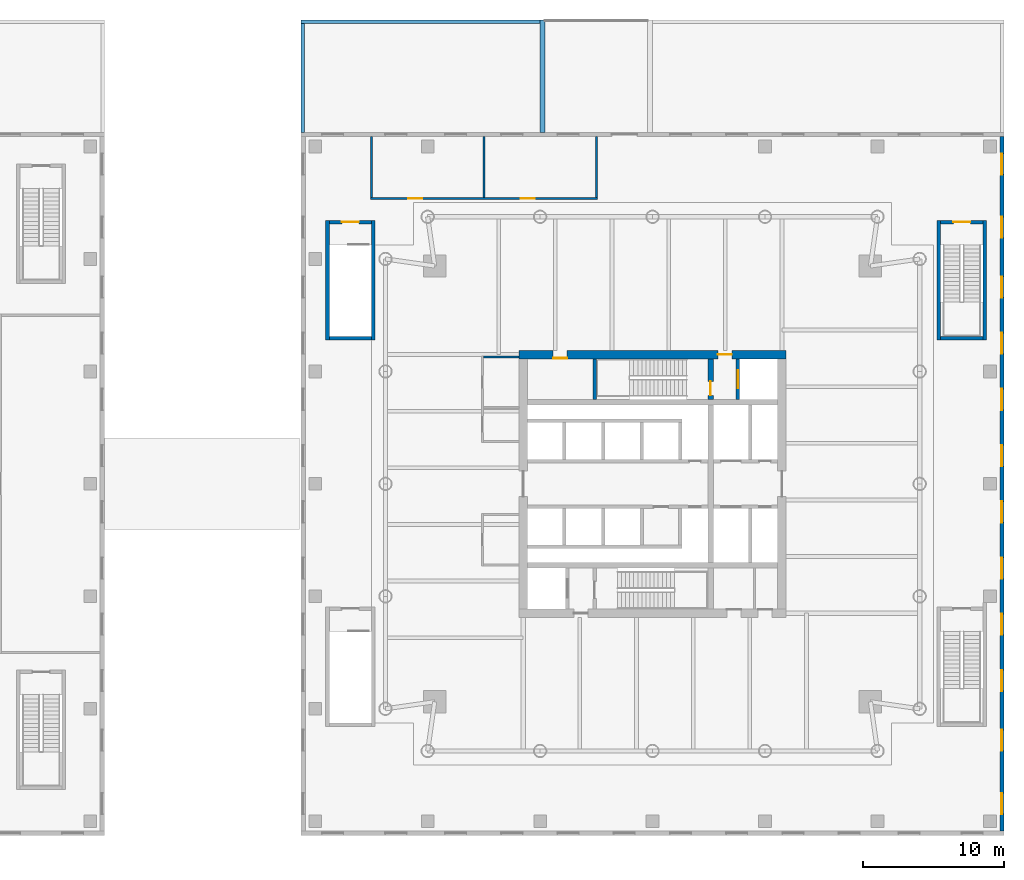
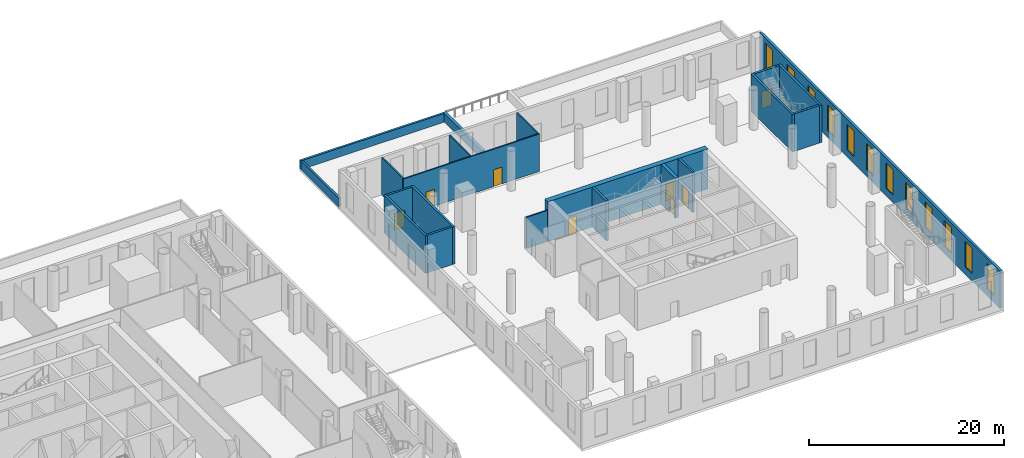
# One storey, part 12 of 16: 21 walls, 12 windows, 8 doors, 20 openings.
"""IFC4 building model written with IfcOpenShell, lengths in metres."""

from ifc_helpers import new_model, si_unit, direction, frame, frame_2d, origin, place, context, subcontext, project, spatial, rectangle, extrude, material, layer, layer_set, type_object, element, fill, save


model = new_model("IFC4")

# Units and contexts
model_context = context("Model", 3, precision=1e-05, world=origin(), true_north=direction((0.0, 1.0)))
body_context = subcontext(model_context, "Body", "Model", "MODEL_VIEW")
ifc_project = project(units=[si_unit("LENGTHUNIT", "METRE"), si_unit("AREAUNIT", "SQUARE_METRE"), si_unit("VOLUMEUNIT", "CUBIC_METRE"), si_unit("PLANEANGLEUNIT", "RADIAN"), si_unit("MASSUNIT", "GRAM", prefix="KILO")], contexts=[model_context])

# Site, building, storey
site_placement = place(None, origin())
site = spatial("IfcSite", under=ifc_project, at=site_placement, CompositionType="ELEMENT")
building_placement = place(site_placement, origin())
building = spatial("IfcBuilding", under=site, at=building_placement, Name="Ostroluk Exchange", CompositionType="ELEMENT")
storey_placement = place(building_placement, frame((0.0, 0.0, 16.0)))
storey = spatial("IfcBuildingStorey", under=building, at=storey_placement, Name="L03", CompositionType="ELEMENT", Elevation=16.0)

# Walls
ifc_material_1 = material(Name="Concrete blockwork", Category="masonry")
ifc_layer_1 = layer(ifc_material_1, 0.25)
ifc_layer_set_1 = layer_set([ifc_layer_1], Name="Blockwork stair enclosure wall 250")
wall_type_1 = type_object("IfcWallType", Name="Blockwork stair enclosure wall 250", PredefinedType="SOLIDWALL", material=ifc_layer_set_1)
for number, where, z_axis, x_axis, name in (
    (1, (93.875, 56.25, 0.0), (0.0, 0.0, 1.0), (0.0, 1.0, 0.0), "Stair PS6 enclosure wall"),
    (2, (97.125, 56.25, 0.0), (0.0, 0.0, 1.0), (0.0, 1.0, 0.0), "Stair PS6 enclosure wall"),
):
    element("IfcWall", number, at=place(storey_placement, frame(where, z_axis=z_axis, x_axis=x_axis)), inside=storey, type_object=wall_type_1, Name=name, PredefinedType="SOLIDWALL", context=body_context, shape_type="SweptSolid", body=[
        extrude(rectangle(XDim=8.5, YDim=0.25, at=frame_2d((4.25, 0.0))), origin(), (0.0, 0.0, 1.0), 4.699951171875),
    ])
wall_1_placement = place(storey_placement, frame((94.0, 56.375, 0.0), z_axis=(0.0, 0.0, 1.0), x_axis=(1.0, 0.0, 0.0)))
element("IfcWall", 3, at=wall_1_placement, inside=storey, type_object=wall_type_1, Name="Stair PS6 enclosure wall", PredefinedType="SOLIDWALL", context=body_context, shape_type="SweptSolid", body=[
    extrude(rectangle(XDim=3.0, YDim=0.25, at=frame_2d((1.5, 0.0))), origin(), (0.0, 0.0, 1.0), 4.699951171875),
])

# Wall, opening, door
wall_2_placement = place(storey_placement, frame((94.0, 64.625, 0.0), z_axis=(0.0, 0.0, 1.0), x_axis=(1.0, 0.0, 0.0)))
wall_2 = element("IfcWall", 4, at=wall_2_placement, inside=storey, type_object=wall_type_1, Name="Stair PS6 enclosure wall", PredefinedType="SOLIDWALL", context=body_context, shape_type="SweptSolid", body=[
    extrude(rectangle(XDim=3.0, YDim=0.25, at=frame_2d((1.5, 0.0))), origin(), (0.0, 0.0, 1.0), 4.699951171875),
])
opening_1_placement = place(wall_2_placement, frame((0.89990234375, 0.0, 0.0)))
opening_1 = element("IfcOpeningElement", 5, at=opening_1_placement, cuts=wall_2, Name="Opening FD60S", PredefinedType="OPENING", context=body_context, shape_type="SweptSolid", body=[
    extrude(rectangle(XDim=1.199951171875, YDim=2.10009765625, at=frame_2d((0.60009765625, 1.050048828125))), frame((0.0, 0.135009765625, 0.0), z_axis=(0.0, -1.0, 0.0), x_axis=(1.0, 0.0, 0.0)), (0.0, 0.0, 1.0), 0.27001953125),
])
ifc_material_2 = material(Name="Steel", Category="steel")
door_type_1 = type_object("IfcDoorType", Name="Stair door EI 60 1200 x 2100", OperationType="SINGLE_SWING_LEFT", PredefinedType="DOOR", material=ifc_material_2)
door_1_placement = place(opening_1_placement, origin())
door_1 = element("IfcDoor", 6, at=door_1_placement, inside=storey, type_object=door_type_1, Name="Stair PS6 door", OperationType="SINGLE_SWING_LEFT", OverallHeight=2.10009765625, OverallWidth=1.199951171875, PredefinedType="DOOR", context=body_context, shape_type="SweptSolid", body=[
    extrude(rectangle(XDim=1.199951171875, YDim=2.10009765625, at=frame_2d((0.60009765625, 1.050048828125))), frame((0.0, 0.02490234375, 0.0), z_axis=(0.0, -1.0, 0.0), x_axis=(1.0, 0.0, 0.0)), (0.0, 0.0, 1.0), 0.050048828125),
])
fill(opening_1, door_1)

# Walls
for number, where, z_axis, x_axis, name in (
    (7, (137.375, 56.25, 0.0), (0.0, 0.0, 1.0), (0.0, 1.0, 0.0), "Stair PS8 enclosure wall"),
    (8, (140.625, 56.25, 0.0), (0.0, 0.0, 1.0), (0.0, 1.0, 0.0), "Stair PS8 enclosure wall"),
):
    element("IfcWall", number, at=place(storey_placement, frame(where, z_axis=z_axis, x_axis=x_axis)), inside=storey, type_object=wall_type_1, Name=name, PredefinedType="SOLIDWALL", context=body_context, shape_type="SweptSolid", body=[
        extrude(rectangle(XDim=8.5, YDim=0.25, at=frame_2d((4.25, 0.0))), origin(), (0.0, 0.0, 1.0), 4.699951171875),
    ])
wall_3_placement = place(storey_placement, frame((137.5, 56.375, 0.0), z_axis=(0.0, 0.0, 1.0), x_axis=(1.0, 0.0, 0.0)))
element("IfcWall", 9, at=wall_3_placement, inside=storey, type_object=wall_type_1, Name="Stair PS8 enclosure wall", PredefinedType="SOLIDWALL", context=body_context, shape_type="SweptSolid", body=[
    extrude(rectangle(XDim=3.0, YDim=0.25, at=frame_2d((1.5, 0.0))), origin(), (0.0, 0.0, 1.0), 4.699951171875),
])

# Wall, opening, door
wall_4_placement = place(storey_placement, frame((137.5, 64.625, 0.0), z_axis=(0.0, 0.0, 1.0), x_axis=(1.0, 0.0, 0.0)))
wall_4 = element("IfcWall", 10, at=wall_4_placement, inside=storey, type_object=wall_type_1, Name="Stair PS8 enclosure wall", PredefinedType="SOLIDWALL", context=body_context, shape_type="SweptSolid", body=[
    extrude(rectangle(XDim=3.0, YDim=0.25, at=frame_2d((1.5, 0.0))), origin(), (0.0, 0.0, 1.0), 4.699951171875),
])
opening_2_placement = place(wall_4_placement, frame((0.89990234375, 0.0, 0.0)))
opening_2 = element("IfcOpeningElement", 11, at=opening_2_placement, cuts=wall_4, Name="Opening FD60S", PredefinedType="OPENING", context=body_context, shape_type="SweptSolid", body=[
    extrude(rectangle(XDim=1.199951171875, YDim=2.10009765625, at=frame_2d((0.60009765625, 1.050048828125))), frame((0.0, 0.135009765625, 0.0), z_axis=(0.0, -1.0, 0.0), x_axis=(1.0, 0.0, 0.0)), (0.0, 0.0, 1.0), 0.27001953125),
])
door_2_placement = place(opening_2_placement, origin())
door_2 = element("IfcDoor", 12, at=door_2_placement, inside=storey, type_object=door_type_1, Name="Stair PS8 door", OperationType="SINGLE_SWING_LEFT", OverallHeight=2.10009765625, OverallWidth=1.199951171875, PredefinedType="DOOR", context=body_context, shape_type="SweptSolid", body=[
    extrude(rectangle(XDim=1.199951171875, YDim=2.10009765625, at=frame_2d((0.60009765625, 1.050048828125))), frame((0.0, 0.02490234375, 0.0), z_axis=(0.0, -1.0, 0.0), x_axis=(1.0, 0.0, 0.0)), (0.0, 0.0, 1.0), 0.050048828125),
])
fill(opening_2, door_2)

ifc_material_3 = material(Name="Concrete C50/60", Category="concrete")
ifc_layer_2 = layer(ifc_material_3, 0.39990234375)
ifc_layer_set_2 = layer_set([ifc_layer_2], Name="Core cross wall 400 C50/60")
wall_type_2 = type_object("IfcWallType", Name="Core cross wall 400 C50/60", PredefinedType="SHEAR", material=ifc_layer_set_2)
wall_5_placement = place(storey_placement, frame((121.1298828125, 52.0, 0.0), z_axis=(0.0, 0.0, 1.0), x_axis=(0.0, 1.0, 0.0)))
wall_5 = element("IfcWall", 13, at=wall_5_placement, inside=storey, type_object=wall_type_2, Name="T2 core wall YE3", PredefinedType="SHEAR", context=body_context, shape_type="SweptSolid", body=[
    extrude(rectangle(XDim=2.89990234375, YDim=0.39990234375, at=frame_2d((1.449951171875, 0.0))), origin(), (0.0, 0.0, 1.0), 5.0),
])
opening_3_placement = place(wall_5_placement, frame((0.300048828125, 0.0, 0.0)))
opening_3 = element("IfcOpeningElement", 14, at=opening_3_placement, cuts=wall_5, Name="Opening FD60", PredefinedType="OPENING", context=body_context, shape_type="SweptSolid", body=[
    extrude(rectangle(XDim=1.0, YDim=2.10009765625, at=frame_2d((0.5, 1.050048828125))), frame((0.0, 0.2099609375, 0.0), z_axis=(0.0, -1.0, 0.0), x_axis=(1.0, 0.0, 0.0)), (0.0, 0.0, 1.0), 0.419921875),
])
ifc_material_4 = material(Name="Steel", Category="steel")
door_type_2 = type_object("IfcDoorType", Name="Fire door EI 60 1000 x 2100", OperationType="SINGLE_SWING_LEFT", PredefinedType="DOOR", material=ifc_material_4)
door_3_placement = place(opening_3_placement, origin())
door_3 = element("IfcDoor", 15, at=door_3_placement, inside=storey, type_object=door_type_2, Name="Stair T2-S2 door", OperationType="SINGLE_SWING_LEFT", OverallHeight=2.10009765625, OverallWidth=1.0, PredefinedType="DOOR", context=body_context, shape_type="SweptSolid", body=[
    extrude(rectangle(XDim=1.0, YDim=2.10009765625, at=frame_2d((0.5, 1.050048828125))), frame((0.0, 0.02490234375, 0.0), z_axis=(0.0, -1.0, 0.0), x_axis=(1.0, 0.0, 0.0)), (0.0, 0.0, 1.0), 0.050048828125),
])
fill(opening_3, door_3)

# Wall
ifc_material_5 = material(Name="Concrete C40/50", Category="concrete")
ifc_layer_3 = layer(ifc_material_5, 0.25)
ifc_layer_set_3 = layer_set([ifc_layer_3], Name="Core shaft wall 250")
wall_type_3 = type_object("IfcWallType", Name="Core shaft wall 250", PredefinedType="SHEAR", material=ifc_layer_set_3)
wall_6_placement = place(storey_placement, frame((112.875, 52.0, 0.0), z_axis=(0.0, 0.0, 1.0), x_axis=(0.0, 1.0, 0.0)))
element("IfcWall", 16, at=wall_6_placement, inside=storey, type_object=wall_type_3, Name="Stair shaft wall", PredefinedType="SHEAR", context=body_context, shape_type="SweptSolid", body=[
    extrude(rectangle(XDim=2.89990234375, YDim=0.25, at=frame_2d((1.449951171875, 0.0))), origin(), (0.0, 0.0, 1.0), 5.0),
])

# Wall, opening, door
wall_7_placement = place(storey_placement, frame((123.074951171875, 52.0, 0.0), z_axis=(0.0, 0.0, 1.0), x_axis=(0.0, 1.0, 0.0)))
wall_7 = element("IfcWall", 17, at=wall_7_placement, inside=storey, type_object=wall_type_3, Name="Firefighting lift shaft wall", PredefinedType="SHEAR", context=body_context, shape_type="SweptSolid", body=[
    extrude(rectangle(XDim=2.89990234375, YDim=0.25, at=frame_2d((1.449951171875, 0.0))), origin(), (0.0, 0.0, 1.0), 5.0),
])
opening_4_placement = place(wall_7_placement, frame((0.800048828125, 0.0, 0.0)))
opening_4 = element("IfcOpeningElement", 18, at=opening_4_placement, cuts=wall_7, Name="Opening LD2", PredefinedType="OPENING", context=body_context, shape_type="SweptSolid", body=[
    extrude(rectangle(XDim=1.300048828125, YDim=2.199951171875, at=frame_2d((0.64990234375, 1.10009765625))), frame((0.0, 0.135009765625, 0.0), z_axis=(0.0, -1.0, 0.0), x_axis=(1.0, 0.0, 0.0)), (0.0, 0.0, 1.0), 0.27001953125),
])
ifc_material_6 = material(Name="Stainless steel", Category="steel")
door_type_3 = type_object("IfcDoorType", Name="Lift landing door E 60 1300 x 2200", OperationType="DOUBLE_DOOR_SLIDING", PredefinedType="DOOR", material=ifc_material_6)
door_4_placement = place(opening_4_placement, origin())
door_4 = element("IfcDoor", 19, at=door_4_placement, inside=storey, type_object=door_type_3, Name="Lift HF2 landing door", OperationType="DOUBLE_DOOR_SLIDING", OverallHeight=2.199951171875, OverallWidth=1.300048828125, PredefinedType="DOOR", context=body_context, shape_type="SweptSolid", body=[
    extrude(rectangle(XDim=1.300048828125, YDim=2.199951171875, at=frame_2d((0.64990234375, 1.10009765625))), frame((0.0, 0.02490234375, 0.0), z_axis=(0.0, -1.0, 0.0), x_axis=(1.0, 0.0, 0.0)), (0.0, 0.0, 1.0), 0.050048828125),
])
fill(opening_4, door_4)

# Wall, openings, doors
ifc_material_7 = material(Name="Concrete C50/60", Category="concrete")
ifc_layer_4 = layer(ifc_material_7, 0.60009765625)
ifc_layer_set_4 = layer_set([ifc_layer_4], Name="Core wall 600 C50/60")
wall_type_4 = type_object("IfcWallType", Name="Core wall 600 C50/60", PredefinedType="SHEAR", material=ifc_layer_set_4)
wall_8_placement = place(storey_placement, frame((107.5, 55.199951171875, 0.0), z_axis=(0.0, 0.0, 1.0), x_axis=(1.0, 0.0, 0.0)))
wall_8 = element("IfcWall", 20, at=wall_8_placement, inside=storey, type_object=wall_type_4, Name="T2 core wall N", PredefinedType="SHEAR", context=body_context, shape_type="SweptSolid", body=[
    extrude(rectangle(XDim=19.0, YDim=0.60009765625, at=frame_2d((9.5, 0.0))), origin(), (0.0, 0.0, 1.0), 5.0),
])
opening_5_placement = place(wall_8_placement, frame((14.139892578125, 0.0, 0.0)))
opening_5 = element("IfcOpeningElement", 21, at=opening_5_placement, cuts=wall_8, Name="Opening FD60", PredefinedType="OPENING", context=body_context, shape_type="SweptSolid", body=[
    extrude(rectangle(XDim=1.0, YDim=2.10009765625, at=frame_2d((0.5, 1.050048828125))), frame((0.0, 0.31005859375, 0.0), z_axis=(0.0, -1.0, 0.0), x_axis=(1.0, 0.0, 0.0)), (0.0, 0.0, 1.0), 0.6201171875),
])
opening_6_placement = place(wall_8_placement, frame((2.425048828125, 0.0, 0.0)))
opening_6 = element("IfcOpeningElement", 22, at=opening_6_placement, cuts=wall_8, Name="Opening FD60", PredefinedType="OPENING", context=body_context, shape_type="SweptSolid", body=[
    extrude(rectangle(XDim=1.0, YDim=2.10009765625, at=frame_2d((0.5, 1.050048828125))), frame((0.0, 0.31005859375, 0.0), z_axis=(0.0, -1.0, 0.0), x_axis=(1.0, 0.0, 0.0)), (0.0, 0.0, 1.0), 0.6201171875),
])
door_5_placement = place(opening_5_placement, origin())
door_5 = element("IfcDoor", 23, at=door_5_placement, inside=storey, type_object=door_type_2, Name="Firefighting lobby door", OperationType="SINGLE_SWING_RIGHT", OverallHeight=2.10009765625, OverallWidth=1.0, PredefinedType="DOOR", context=body_context, shape_type="SweptSolid", body=[
    extrude(rectangle(XDim=1.0, YDim=2.10009765625, at=frame_2d((0.5, 1.050048828125))), frame((0.0, 0.02490234375, 0.0), z_axis=(0.0, -1.0, 0.0), x_axis=(1.0, 0.0, 0.0)), (0.0, 0.0, 1.0), 0.050048828125),
])
fill(opening_5, door_5)
door_6_placement = place(opening_6_placement, origin())
door_6 = element("IfcDoor", 24, at=door_6_placement, inside=storey, type_object=door_type_2, Name="Security equipment store door", OperationType="SINGLE_SWING_LEFT", OverallHeight=2.10009765625, OverallWidth=1.0, PredefinedType="DOOR", context=body_context, shape_type="SweptSolid", body=[
    extrude(rectangle(XDim=1.0, YDim=2.10009765625, at=frame_2d((0.5, 1.050048828125))), frame((0.0, -0.23974609375, 0.0), z_axis=(0.0, -1.0, 0.0), x_axis=(1.0, 0.0, 0.0)), (0.0, 0.0, 1.0), 0.050048828125),
])
fill(opening_6, door_6)

# Walls
ifc_material_8 = material(Name="Limestone", Category="masonry")
ifc_layer_5 = layer(ifc_material_8, 0.25)
ifc_layer_set_5 = layer_set([ifc_layer_5], Name="Green roof parapet 250")
wall_type_5 = type_object("IfcWallType", Name="Green roof parapet 250", PredefinedType="PARAPET", material=ifc_layer_set_5)
wall_9_placement = place(storey_placement, frame((92.125, 71.010009765625, 0.0), z_axis=(0.0, 0.0, 1.0), x_axis=(0.0, 1.0, 0.0)))
element("IfcWall", 25, at=wall_9_placement, inside=storey, type_object=wall_type_5, Name="Green roof parapet L03 1", PredefinedType="PARAPET", context=body_context, shape_type="SweptSolid", body=[
    extrude(rectangle(XDim=7.739990234375, YDim=0.25, at=frame_2d((3.8701171875, 0.0))), origin(), (0.0, 0.0, 1.0), 1.10009765625),
])
wall_10_placement = place(storey_placement, frame((92.0, 78.875, 0.0), z_axis=(0.0, 0.0, 1.0), x_axis=(1.0, 0.0, 0.0)))
element("IfcWall", 26, at=wall_10_placement, inside=storey, type_object=wall_type_5, Name="Green roof parapet L03 2", PredefinedType="PARAPET", context=body_context, shape_type="SweptSolid", body=[
    extrude(rectangle(XDim=16.989990234375, YDim=0.25, at=frame_2d((8.4951171875, 0.0))), origin(), (0.0, 0.0, 1.0), 1.10009765625),
])

# Wall, openings, windows
ifc_material_9 = material(Name="Limestone", Category="masonry")
ifc_layer_6 = layer(ifc_material_9, 0.300048828125)
ifc_layer_set_6 = layer_set([ifc_layer_6], Name="Limestone facade wall 300")
wall_type_6 = type_object("IfcWallType", Name="Limestone facade wall 300", PredefinedType="SOLIDWALL", material=ifc_layer_set_6)
wall_11_placement = place(storey_placement, frame((141.85009765625, 21.300048828125, 0.0), z_axis=(0.0, 0.0, 1.0), x_axis=(0.0, 1.0, 0.0)))
wall_11 = element("IfcWall", 27, at=wall_11_placement, inside=storey, type_object=wall_type_6, Name="Podium east E wall L03 1a", PredefinedType="SOLIDWALL", context=body_context, shape_type="SweptSolid", body=[
    extrude(rectangle(XDim=49.39990234375, YDim=0.300048828125, at=frame_2d((24.699951171875, 0.0))), origin(), (0.0, 0.0, 1.0), 4.699951171875),
])
opening_7_placement = place(wall_11_placement, frame((1.199951171875, 0.0, 0.89990234375)))
opening_7 = element("IfcOpeningElement", 28, at=opening_7_placement, cuts=wall_11, Name="Opening WN-L2", PredefinedType="OPENING", context=body_context, shape_type="SweptSolid", body=[
    extrude(rectangle(XDim=1.5, YDim=3.199951171875, at=frame_2d((0.75, 1.60009765625))), frame((0.0, 0.159912109375, 0.0), z_axis=(0.0, -1.0, 0.0), x_axis=(1.0, 0.0, 0.0)), (0.0, 0.0, 1.0), 0.320068359375),
])
opening_8_placement = place(wall_11_placement, frame((5.699951171875, 0.0, 0.89990234375)))
opening_8 = element("IfcOpeningElement", 29, at=opening_8_placement, cuts=wall_11, Name="Opening WN-L2", PredefinedType="OPENING", context=body_context, shape_type="SweptSolid", body=[
    extrude(rectangle(XDim=1.5, YDim=3.199951171875, at=frame_2d((0.75, 1.60009765625))), frame((0.0, 0.159912109375, 0.0), z_axis=(0.0, -1.0, 0.0), x_axis=(1.0, 0.0, 0.0)), (0.0, 0.0, 1.0), 0.320068359375),
])
opening_9_placement = place(wall_11_placement, frame((9.949951171875, 0.0, 0.89990234375)))
opening_9 = element("IfcOpeningElement", 30, at=opening_9_placement, cuts=wall_11, Name="Opening WN-L2", PredefinedType="OPENING", context=body_context, shape_type="SweptSolid", body=[
    extrude(rectangle(XDim=1.5, YDim=3.199951171875, at=frame_2d((0.75, 1.60009765625))), frame((0.0, 0.159912109375, 0.0), z_axis=(0.0, -1.0, 0.0), x_axis=(1.0, 0.0, 0.0)), (0.0, 0.0, 1.0), 0.320068359375),
])
opening_10_placement = place(wall_11_placement, frame((13.949951171875, 0.0, 0.89990234375)))
opening_10 = element("IfcOpeningElement", 31, at=opening_10_placement, cuts=wall_11, Name="Opening WN-L2", PredefinedType="OPENING", context=body_context, shape_type="SweptSolid", body=[
    extrude(rectangle(XDim=1.5, YDim=3.199951171875, at=frame_2d((0.75, 1.60009765625))), frame((0.0, 0.159912109375, 0.0), z_axis=(0.0, -1.0, 0.0), x_axis=(1.0, 0.0, 0.0)), (0.0, 0.0, 1.0), 0.320068359375),
])
opening_11_placement = place(wall_11_placement, frame((17.949951171875, 0.0, 0.89990234375)))
opening_11 = element("IfcOpeningElement", 32, at=opening_11_placement, cuts=wall_11, Name="Opening WN-L2", PredefinedType="OPENING", context=body_context, shape_type="SweptSolid", body=[
    extrude(rectangle(XDim=1.5, YDim=3.199951171875, at=frame_2d((0.75, 1.60009765625))), frame((0.0, 0.159912109375, 0.0), z_axis=(0.0, -1.0, 0.0), x_axis=(1.0, 0.0, 0.0)), (0.0, 0.0, 1.0), 0.320068359375),
])
opening_12_placement = place(wall_11_placement, frame((21.949951171875, 0.0, 0.89990234375)))
opening_12 = element("IfcOpeningElement", 33, at=opening_12_placement, cuts=wall_11, Name="Opening WN-L2", PredefinedType="OPENING", context=body_context, shape_type="SweptSolid", body=[
    extrude(rectangle(XDim=1.5, YDim=3.199951171875, at=frame_2d((0.75, 1.60009765625))), frame((0.0, 0.159912109375, 0.0), z_axis=(0.0, -1.0, 0.0), x_axis=(1.0, 0.0, 0.0)), (0.0, 0.0, 1.0), 0.320068359375),
])
opening_13_placement = place(wall_11_placement, frame((25.949951171875, 0.0, 0.89990234375)))
opening_13 = element("IfcOpeningElement", 34, at=opening_13_placement, cuts=wall_11, Name="Opening WN-L2", PredefinedType="OPENING", context=body_context, shape_type="SweptSolid", body=[
    extrude(rectangle(XDim=1.5, YDim=3.199951171875, at=frame_2d((0.75, 1.60009765625))), frame((0.0, 0.159912109375, 0.0), z_axis=(0.0, -1.0, 0.0), x_axis=(1.0, 0.0, 0.0)), (0.0, 0.0, 1.0), 0.320068359375),
])
opening_14_placement = place(wall_11_placement, frame((29.949951171875, 0.0, 0.89990234375)))
opening_14 = element("IfcOpeningElement", 35, at=opening_14_placement, cuts=wall_11, Name="Opening WN-L2", PredefinedType="OPENING", context=body_context, shape_type="SweptSolid", body=[
    extrude(rectangle(XDim=1.5, YDim=3.199951171875, at=frame_2d((0.75, 1.60009765625))), frame((0.0, 0.159912109375, 0.0), z_axis=(0.0, -1.0, 0.0), x_axis=(1.0, 0.0, 0.0)), (0.0, 0.0, 1.0), 0.320068359375),
])
opening_15_placement = place(wall_11_placement, frame((33.949951171875, 0.0, 0.89990234375)))
opening_15 = element("IfcOpeningElement", 36, at=opening_15_placement, cuts=wall_11, Name="Opening WN-L2", PredefinedType="OPENING", context=body_context, shape_type="SweptSolid", body=[
    extrude(rectangle(XDim=1.5, YDim=3.199951171875, at=frame_2d((0.75, 1.60009765625))), frame((0.0, 0.159912109375, 0.0), z_axis=(0.0, -1.0, 0.0), x_axis=(1.0, 0.0, 0.0)), (0.0, 0.0, 1.0), 0.320068359375),
])
opening_16_placement = place(wall_11_placement, frame((37.949951171875, 0.0, 0.89990234375)))
opening_16 = element("IfcOpeningElement", 37, at=opening_16_placement, cuts=wall_11, Name="Opening WN-L2", PredefinedType="OPENING", context=body_context, shape_type="SweptSolid", body=[
    extrude(rectangle(XDim=1.5, YDim=3.199951171875, at=frame_2d((0.75, 1.60009765625))), frame((0.0, 0.159912109375, 0.0), z_axis=(0.0, -1.0, 0.0), x_axis=(1.0, 0.0, 0.0)), (0.0, 0.0, 1.0), 0.320068359375),
])
opening_17_placement = place(wall_11_placement, frame((42.199951171875, 0.0, 0.89990234375)))
opening_17 = element("IfcOpeningElement", 38, at=opening_17_placement, cuts=wall_11, Name="Opening WN-L2", PredefinedType="OPENING", context=body_context, shape_type="SweptSolid", body=[
    extrude(rectangle(XDim=1.5, YDim=3.199951171875, at=frame_2d((0.75, 1.60009765625))), frame((0.0, 0.159912109375, 0.0), z_axis=(0.0, -1.0, 0.0), x_axis=(1.0, 0.0, 0.0)), (0.0, 0.0, 1.0), 0.320068359375),
])
opening_18_placement = place(wall_11_placement, frame((46.699951171875, 0.0, 0.89990234375)))
opening_18 = element("IfcOpeningElement", 39, at=opening_18_placement, cuts=wall_11, Name="Opening WN-L2", PredefinedType="OPENING", context=body_context, shape_type="SweptSolid", body=[
    extrude(rectangle(XDim=1.5, YDim=3.199951171875, at=frame_2d((0.75, 1.60009765625))), frame((0.0, 0.159912109375, 0.0), z_axis=(0.0, -1.0, 0.0), x_axis=(1.0, 0.0, 0.0)), (0.0, 0.0, 1.0), 0.320068359375),
])
ifc_material_10 = material(Name="Laminated clear glass", Category="glass")
window_type = type_object("IfcWindowType", Name="Podium lancet window 1500 x 3200", PartitioningType="DOUBLE_PANEL_VERTICAL", PredefinedType="WINDOW", material=ifc_material_10)
window_1_placement = place(opening_7_placement, origin())
window_1 = element("IfcWindow", 40, at=window_1_placement, inside=storey, type_object=window_type, Name="Podium east lancet window E L03 1.1", OverallHeight=3.199951171875, OverallWidth=1.5, PartitioningType="SINGLE_PANEL", PredefinedType="WINDOW", context=body_context, shape_type="SweptSolid", body=[
    extrude(rectangle(XDim=1.5, YDim=3.199951171875, at=frame_2d((0.75, 1.60009765625))), frame((0.0, 0.030029296875, 0.0), z_axis=(0.0, -1.0, 0.0), x_axis=(1.0, 0.0, 0.0)), (0.0, 0.0, 1.0), 0.06005859375),
])
fill(opening_7, window_1)
window_2_placement = place(opening_8_placement, origin())
window_2 = element("IfcWindow", 41, at=window_2_placement, inside=storey, type_object=window_type, Name="Podium east lancet window E L03 1.2", OverallHeight=3.199951171875, OverallWidth=1.5, PartitioningType="SINGLE_PANEL", PredefinedType="WINDOW", context=body_context, shape_type="SweptSolid", body=[
    extrude(rectangle(XDim=1.5, YDim=3.199951171875, at=frame_2d((0.75, 1.60009765625))), frame((0.0, 0.030029296875, 0.0), z_axis=(0.0, -1.0, 0.0), x_axis=(1.0, 0.0, 0.0)), (0.0, 0.0, 1.0), 0.06005859375),
])
fill(opening_8, window_2)
window_3_placement = place(opening_9_placement, origin())
window_3 = element("IfcWindow", 42, at=window_3_placement, inside=storey, type_object=window_type, Name="Podium east lancet window E L03 2.1", OverallHeight=3.199951171875, OverallWidth=1.5, PartitioningType="SINGLE_PANEL", PredefinedType="WINDOW", context=body_context, shape_type="SweptSolid", body=[
    extrude(rectangle(XDim=1.5, YDim=3.199951171875, at=frame_2d((0.75, 1.60009765625))), frame((0.0, 0.030029296875, 0.0), z_axis=(0.0, -1.0, 0.0), x_axis=(1.0, 0.0, 0.0)), (0.0, 0.0, 1.0), 0.06005859375),
])
fill(opening_9, window_3)
window_4_placement = place(opening_10_placement, origin())
window_4 = element("IfcWindow", 43, at=window_4_placement, inside=storey, type_object=window_type, Name="Podium east lancet window E L03 2.2", OverallHeight=3.199951171875, OverallWidth=1.5, PartitioningType="SINGLE_PANEL", PredefinedType="WINDOW", context=body_context, shape_type="SweptSolid", body=[
    extrude(rectangle(XDim=1.5, YDim=3.199951171875, at=frame_2d((0.75, 1.60009765625))), frame((0.0, 0.030029296875, 0.0), z_axis=(0.0, -1.0, 0.0), x_axis=(1.0, 0.0, 0.0)), (0.0, 0.0, 1.0), 0.06005859375),
])
fill(opening_10, window_4)
window_5_placement = place(opening_11_placement, origin())
window_5 = element("IfcWindow", 44, at=window_5_placement, inside=storey, type_object=window_type, Name="Podium east lancet window E L03 3.1", OverallHeight=3.199951171875, OverallWidth=1.5, PartitioningType="SINGLE_PANEL", PredefinedType="WINDOW", context=body_context, shape_type="SweptSolid", body=[
    extrude(rectangle(XDim=1.5, YDim=3.199951171875, at=frame_2d((0.75, 1.60009765625))), frame((0.0, 0.030029296875, 0.0), z_axis=(0.0, -1.0, 0.0), x_axis=(1.0, 0.0, 0.0)), (0.0, 0.0, 1.0), 0.06005859375),
])
fill(opening_11, window_5)
window_6_placement = place(opening_12_placement, origin())
window_6 = element("IfcWindow", 45, at=window_6_placement, inside=storey, type_object=window_type, Name="Podium east lancet window E L03 3.2", OverallHeight=3.199951171875, OverallWidth=1.5, PartitioningType="SINGLE_PANEL", PredefinedType="WINDOW", context=body_context, shape_type="SweptSolid", body=[
    extrude(rectangle(XDim=1.5, YDim=3.199951171875, at=frame_2d((0.75, 1.60009765625))), frame((0.0, 0.030029296875, 0.0), z_axis=(0.0, -1.0, 0.0), x_axis=(1.0, 0.0, 0.0)), (0.0, 0.0, 1.0), 0.06005859375),
])
fill(opening_12, window_6)
window_7_placement = place(opening_13_placement, origin())
window_7 = element("IfcWindow", 46, at=window_7_placement, inside=storey, type_object=window_type, Name="Podium east lancet window E L03 4.1", OverallHeight=3.199951171875, OverallWidth=1.5, PartitioningType="SINGLE_PANEL", PredefinedType="WINDOW", context=body_context, shape_type="SweptSolid", body=[
    extrude(rectangle(XDim=1.5, YDim=3.199951171875, at=frame_2d((0.75, 1.60009765625))), frame((0.0, 0.030029296875, 0.0), z_axis=(0.0, -1.0, 0.0), x_axis=(1.0, 0.0, 0.0)), (0.0, 0.0, 1.0), 0.06005859375),
])
fill(opening_13, window_7)
window_8_placement = place(opening_14_placement, origin())
window_8 = element("IfcWindow", 47, at=window_8_placement, inside=storey, type_object=window_type, Name="Podium east lancet window E L03 4.2", OverallHeight=3.199951171875, OverallWidth=1.5, PartitioningType="SINGLE_PANEL", PredefinedType="WINDOW", context=body_context, shape_type="SweptSolid", body=[
    extrude(rectangle(XDim=1.5, YDim=3.199951171875, at=frame_2d((0.75, 1.60009765625))), frame((0.0, 0.030029296875, 0.0), z_axis=(0.0, -1.0, 0.0), x_axis=(1.0, 0.0, 0.0)), (0.0, 0.0, 1.0), 0.06005859375),
])
fill(opening_14, window_8)
window_9_placement = place(opening_15_placement, origin())
window_9 = element("IfcWindow", 48, at=window_9_placement, inside=storey, type_object=window_type, Name="Podium east lancet window E L03 5.1", OverallHeight=3.199951171875, OverallWidth=1.5, PartitioningType="SINGLE_PANEL", PredefinedType="WINDOW", context=body_context, shape_type="SweptSolid", body=[
    extrude(rectangle(XDim=1.5, YDim=3.199951171875, at=frame_2d((0.75, 1.60009765625))), frame((0.0, 0.030029296875, 0.0), z_axis=(0.0, -1.0, 0.0), x_axis=(1.0, 0.0, 0.0)), (0.0, 0.0, 1.0), 0.06005859375),
])
fill(opening_15, window_9)
window_10_placement = place(opening_16_placement, origin())
window_10 = element("IfcWindow", 49, at=window_10_placement, inside=storey, type_object=window_type, Name="Podium east lancet window E L03 5.2", OverallHeight=3.199951171875, OverallWidth=1.5, PartitioningType="SINGLE_PANEL", PredefinedType="WINDOW", context=body_context, shape_type="SweptSolid", body=[
    extrude(rectangle(XDim=1.5, YDim=3.199951171875, at=frame_2d((0.75, 1.60009765625))), frame((0.0, 0.030029296875, 0.0), z_axis=(0.0, -1.0, 0.0), x_axis=(1.0, 0.0, 0.0)), (0.0, 0.0, 1.0), 0.06005859375),
])
fill(opening_16, window_10)
window_11_placement = place(opening_17_placement, origin())
window_11 = element("IfcWindow", 50, at=window_11_placement, inside=storey, type_object=window_type, Name="Podium east lancet window E L03 6.1", OverallHeight=3.199951171875, OverallWidth=1.5, PartitioningType="SINGLE_PANEL", PredefinedType="WINDOW", context=body_context, shape_type="SweptSolid", body=[
    extrude(rectangle(XDim=1.5, YDim=3.199951171875, at=frame_2d((0.75, 1.60009765625))), frame((0.0, 0.030029296875, 0.0), z_axis=(0.0, -1.0, 0.0), x_axis=(1.0, 0.0, 0.0)), (0.0, 0.0, 1.0), 0.06005859375),
])
fill(opening_17, window_11)
window_12_placement = place(opening_18_placement, origin())
window_12 = element("IfcWindow", 51, at=window_12_placement, inside=storey, type_object=window_type, Name="Podium east lancet window E L03 6.2", OverallHeight=3.199951171875, OverallWidth=1.5, PartitioningType="SINGLE_PANEL", PredefinedType="WINDOW", context=body_context, shape_type="SweptSolid", body=[
    extrude(rectangle(XDim=1.5, YDim=3.199951171875, at=frame_2d((0.75, 1.60009765625))), frame((0.0, 0.030029296875, 0.0), z_axis=(0.0, -1.0, 0.0), x_axis=(1.0, 0.0, 0.0)), (0.0, 0.0, 1.0), 0.06005859375),
])
fill(opening_18, window_12)

# Wall
ifc_material_11 = material(Name="Limestone", Category="masonry")
ifc_layer_7 = layer(ifc_material_11, 0.35009765625)
ifc_layer_set_7 = layer_set([ifc_layer_7], Name="Planter wall 350")
wall_type_7 = type_object("IfcWallType", Name="Planter wall 350", PredefinedType="PARAPET", material=ifc_layer_set_7)
wall_12_placement = place(storey_placement, frame((109.175048828125, 71.0, 0.0), z_axis=(0.0, 0.0, 1.0), x_axis=(0.0, 1.0, 0.0)))
element("IfcWall", 52, at=wall_12_placement, inside=storey, type_object=wall_type_7, Name="Terrace planter wall L03 1", PredefinedType="PARAPET", context=body_context, shape_type="SweptSolid", body=[
    extrude(rectangle(XDim=8.0, YDim=0.35009765625, at=frame_2d((4.0, 0.0))), origin(), (0.0, 0.0, 1.0), 1.10009765625),
])

# Wall, openings, doors
ifc_material_12 = material(Name="Gypsum plasterboard partition", Category="gypsum")
ifc_layer_8 = layer(ifc_material_12, 0.14990234375)
ifc_layer_set_8 = layer_set([ifc_layer_8], Name="Plasterboard partition 150")
wall_type_8 = type_object("IfcWallType", Name="Plasterboard partition 150", PredefinedType="PARTITIONING", material=ifc_layer_set_8)
wall_13_placement = place(storey_placement, frame((96.925048828125, 66.300048828125, 0.0), z_axis=(0.0, 0.0, 1.0), x_axis=(1.0, 0.0, 0.0)))
wall_13 = element("IfcWall", 53, at=wall_13_placement, inside=storey, type_object=wall_type_8, Name="Partition", PredefinedType="PARTITIONING", context=body_context, shape_type="SweptSolid", body=[
    extrude(rectangle(XDim=16.14990234375, YDim=0.14990234375, at=frame_2d((8.074951171875, 0.0))), origin(), (0.0, 0.0, 1.0), 4.699951171875),
])
opening_19_placement = place(wall_13_placement, frame((2.699951171875, 0.0, 0.0)))
opening_19 = element("IfcOpeningElement", 54, at=opening_19_placement, cuts=wall_13, Name="Opening D-03", PredefinedType="OPENING", context=body_context, shape_type="SweptSolid", body=[
    extrude(rectangle(XDim=1.0, YDim=2.10009765625, at=frame_2d((0.5, 1.050048828125))), frame((0.0, 0.0849609375, 0.0), z_axis=(0.0, -1.0, 0.0), x_axis=(1.0, 0.0, 0.0)), (0.0, 0.0, 1.0), 0.169921875),
])
opening_20_placement = place(wall_13_placement, frame((10.699951171875, 0.0, 0.0)))
opening_20 = element("IfcOpeningElement", 55, at=opening_20_placement, cuts=wall_13, Name="Opening D-03", PredefinedType="OPENING", context=body_context, shape_type="SweptSolid", body=[
    extrude(rectangle(XDim=1.0, YDim=2.10009765625, at=frame_2d((0.5, 1.050048828125))), frame((0.0, 0.0849609375, 0.0), z_axis=(0.0, -1.0, 0.0), x_axis=(1.0, 0.0, 0.0)), (0.0, 0.0, 1.0), 0.169921875),
])
ifc_material_13 = material(Name="Timber", Category="wood")
door_type_4 = type_object("IfcDoorType", Name="Internal door 1000 x 2100", OperationType="SINGLE_SWING_LEFT", PredefinedType="DOOR", material=ifc_material_13)
door_7_placement = place(opening_19_placement, origin())
door_7 = element("IfcDoor", 56, at=door_7_placement, inside=storey, type_object=door_type_4, Name="Changing room door", OperationType="SINGLE_SWING_LEFT", OverallHeight=2.10009765625, OverallWidth=1.0, PredefinedType="DOOR", context=body_context, shape_type="SweptSolid", body=[
    extrude(rectangle(XDim=1.0, YDim=2.10009765625, at=frame_2d((0.5, 1.050048828125))), frame((0.0, 0.02490234375, 0.0), z_axis=(0.0, -1.0, 0.0), x_axis=(1.0, 0.0, 0.0)), (0.0, 0.0, 1.0), 0.050048828125),
])
fill(opening_19, door_7)
door_8_placement = place(opening_20_placement, origin())
door_8 = element("IfcDoor", 57, at=door_8_placement, inside=storey, type_object=door_type_4, Name="Changing room door", OperationType="SINGLE_SWING_RIGHT", OverallHeight=2.10009765625, OverallWidth=1.0, PredefinedType="DOOR", context=body_context, shape_type="SweptSolid", body=[
    extrude(rectangle(XDim=1.0, YDim=2.10009765625, at=frame_2d((0.5, 1.050048828125))), frame((0.0, 0.02490234375, 0.0), z_axis=(0.0, -1.0, 0.0), x_axis=(1.0, 0.0, 0.0)), (0.0, 0.0, 1.0), 0.050048828125),
])
fill(opening_20, door_8)

# Walls
for number, where, z_axis, x_axis, name in (
    (58, (97.0, 66.375, 0.0), (0.0, 0.0, 1.0), (0.0, 1.0, 0.0), "Partition"),
    (59, (105.0, 66.375, 0.0), (0.0, 0.0, 1.0), (0.0, 1.0, 0.0), "Partition"),
    (60, (113.0, 66.375, 0.0), (0.0, 0.0, 1.0), (0.0, 1.0, 0.0), "Partition"),
):
    element("IfcWall", number, at=place(storey_placement, frame(where, z_axis=z_axis, x_axis=x_axis)), inside=storey, type_object=wall_type_8, Name=name, PredefinedType="PARTITIONING", context=body_context, shape_type="SweptSolid", body=[
        extrude(rectangle(XDim=4.324951171875, YDim=0.14990234375, at=frame_2d((2.16259765625, 0.0))), origin(), (0.0, 0.0, 1.0), 4.699951171875),
    ])
ifc_material_14 = material(Name="Gypsum plasterboard partition, moisture resistant", Category="gypsum")
ifc_layer_9 = layer(ifc_material_14, 0.14990234375)
ifc_layer_set_9 = layer_set([ifc_layer_9], Name="Plasterboard toilet partition 150")
wall_type_9 = type_object("IfcWallType", Name="Plasterboard toilet partition 150", PredefinedType="PARTITIONING", material=ifc_layer_set_9)
wall_14_placement = place(storey_placement, frame((104.97509765625, 55.02490234375, 0.0), z_axis=(0.0, 0.0, 1.0), x_axis=(1.0, 0.0, 0.0)))
element("IfcWall", 61, at=wall_14_placement, inside=storey, type_object=wall_type_9, Name="Toilet partition", PredefinedType="PARTITIONING", context=body_context, shape_type="SweptSolid", body=[
    extrude(rectangle(XDim=2.52490234375, YDim=0.14990234375, at=frame_2d((1.262451171875, 0.0))), origin(), (0.0, 0.0, 1.0), 3.89990234375),
])

save(model, "model.ifc")
